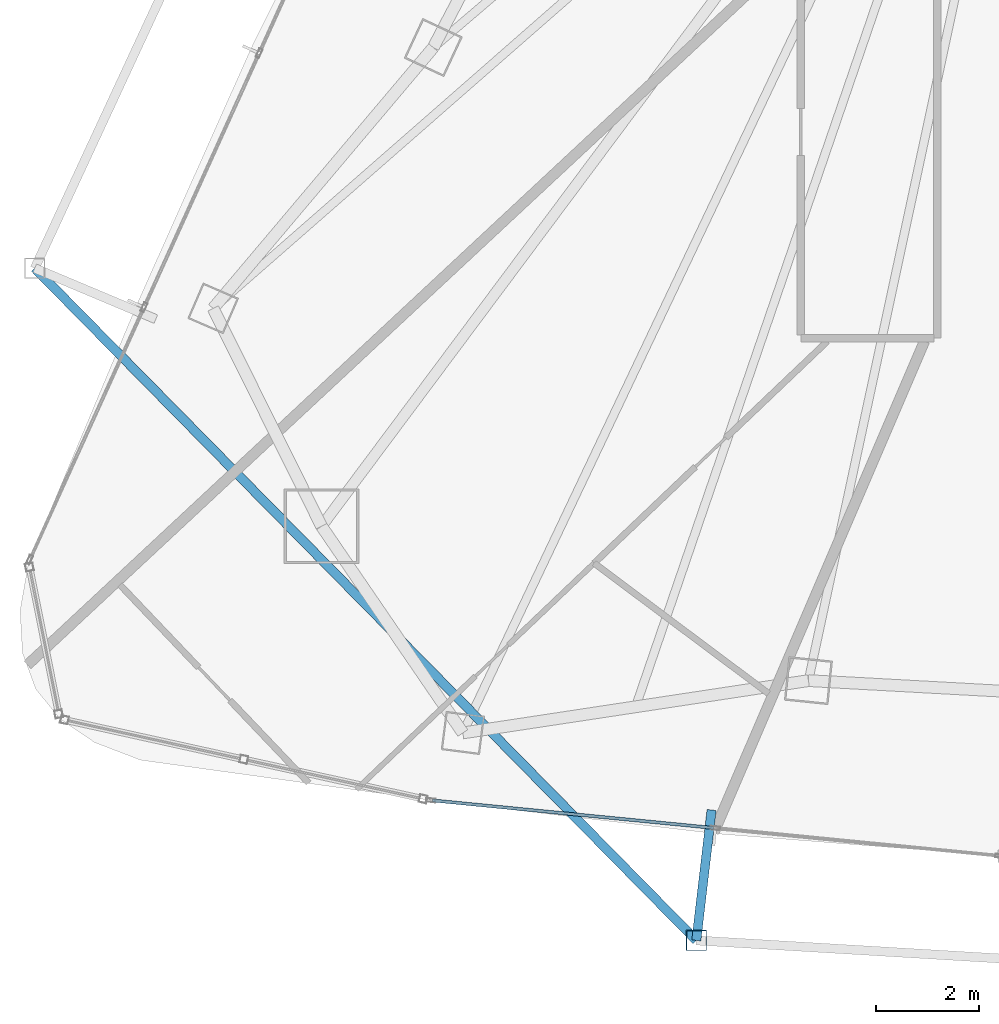
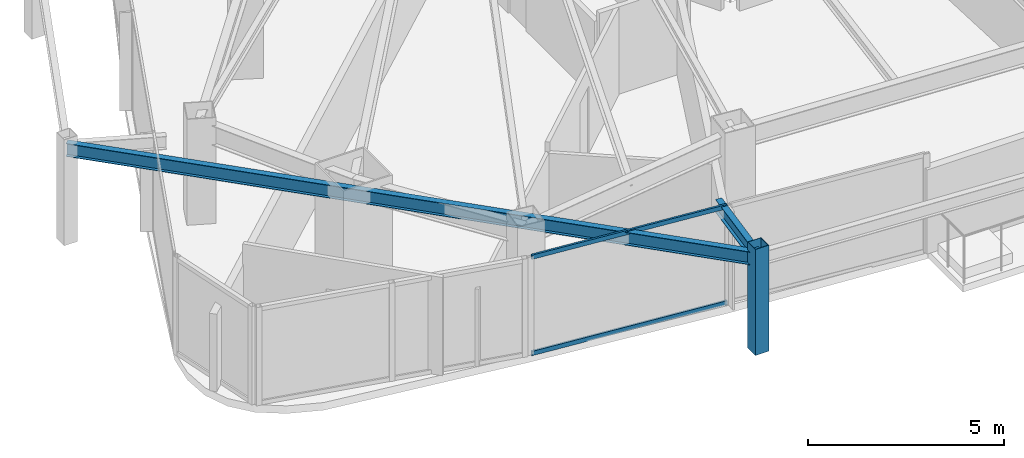
# One storey, part 3 of 29: 3 members, 2 beams, 1 element without a shape of its own.
"""IFC4 building model written with IfcOpenShell, lengths in metres."""

from ifc_helpers import new_model, si_unit, direction, frame, origin, origin_2d, place, context, subcontext, project, spatial, hollow_rectangle, i_section, extrude, material, layer, layer_set, material_profile, profile_set, type_object, element, aggregate, save


model = new_model("IFC4")

# Units and contexts
model_context = context("Model", 3, precision=1e-05, world=origin(), true_north=direction((0.0, 1.0)))
body_context = subcontext(model_context, "Body", "Model", "MODEL_VIEW")
ifc_project = project(units=[si_unit("LENGTHUNIT", "METRE"), si_unit("AREAUNIT", "SQUARE_METRE"), si_unit("VOLUMEUNIT", "CUBIC_METRE"), si_unit("PLANEANGLEUNIT", "RADIAN"), si_unit("MASSUNIT", "GRAM", prefix="KILO")], contexts=[model_context])

# Site, building, storey
site_placement = place(None, origin())
site = spatial("IfcSite", under=ifc_project, at=site_placement, CompositionType="ELEMENT")
building_placement = place(site_placement, origin())
building = spatial("IfcBuilding", under=site, at=building_placement, Name="Orvanel Arch Residences", CompositionType="ELEMENT")
storey_placement = place(building_placement, frame((0.0, 0.0, 170.449951171875)))
storey = spatial("IfcBuildingStorey", under=building, at=storey_placement, Name="L48", CompositionType="ELEMENT", Elevation=170.449951171875)

# Beams
ifc_material_1 = material(Name="Structural steel AS/NZS 3679.1 Grade 300 (300 MPa)", Category="steel")
ifc_material_profile_1 = material_profile(ifc_material_1, i_section(OverallWidth=0.177978515625, OverallDepth=0.406005859375, WebThickness=0.0078125, FlangeThickness=0.0126953125, at=origin_2d()), Name="410UB59.7")
ifc_profile_set_1 = profile_set([ifc_material_profile_1], Name="Structural steel AS/NZS 3679.1 Grade 300 (300 MPa)")
beam_type = type_object("IfcBeamType", Name="OB-410UB-EXT", PredefinedType="SPANDREL", material=ifc_profile_set_1)
beam_1_placement = place(storey_placement, frame((8.632080078125, 15.35888671875, 2.85693359375), z_axis=(0.701456301803, -0.712712464224, 0.0), x_axis=(0.712712464224, 0.701456301803, 0.0)))
element("IfcBeam", 1, at=beam_1_placement, inside=storey, type_object=beam_type, Name="L48 Outer Perimeter Floor Ring Beam 04", PredefinedType="SPANDREL", context=body_context, shape_type="SweptSolid", body=[
    extrude(i_section(OverallWidth=0.177978515625, OverallDepth=0.406005859375, WebThickness=0.0078125, FlangeThickness=0.0126953125, at=origin_2d()), origin(), (0.0, 0.0, 1.0), 18.305908203125),
])
beam_2_placement = place(storey_placement, frame((21.77001953125, 4.843994140625, 2.85693359375), z_axis=(-0.11654675499, -0.993185206244, 0.0), x_axis=(0.993185206244, -0.11654675499, 0.0)))
element("IfcBeam", 2, at=beam_2_placement, inside=storey, type_object=beam_type, Name="L48 Outer Frame Radial Tie Beam 05", PredefinedType="SPANDREL", context=body_context, shape_type="SweptSolid", body=[
    extrude(i_section(OverallWidth=0.177978515625, OverallDepth=0.406005859375, WebThickness=0.0078125, FlangeThickness=0.0126953125, at=origin_2d()), origin(), (0.0, 0.0, 1.0), 2.54931640625),
])

# Member
ifc_material_2 = material(Name="Structural steel AS/NZS 1163 C450L0 (Grade 450)", Category="steel")
ifc_material_profile_2 = material_profile(ifc_material_2, hollow_rectangle(XDim=0.39990234375, YDim=0.39990234375, WallThickness=0.01611328125, at=origin_2d()), Name="SHS400x400x16")
ifc_profile_set_2 = profile_set([ifc_material_profile_2], Name="Structural steel AS/NZS 1163 C450L0 (Grade 450)")
member_type_1 = type_object("IfcMemberType", Name="ST-400SHS-EXT", PredefinedType="STRUT", material=ifc_profile_set_2)
member_1_placement = place(storey_placement, frame((21.472900390625, 2.31201171875, 0.0), z_axis=(0.0, 0.0, 1.0), x_axis=(1.0, 0.0, 0.0)))
element("IfcMember", 3, at=member_1_placement, inside=storey, type_object=member_type_1, Name="L48 Outer Perimeter Frame Post 05", PredefinedType="STRUT", context=body_context, shape_type="SweptSolid", body=[
    extrude(hollow_rectangle(XDim=0.39990234375, YDim=0.39990234375, WallThickness=0.01611328125, at=origin_2d()), origin(), (0.0, 0.0, 1.0), 3.300048828125),
])

# Curtain wall, members
ifc_material_3 = material(Name="Bronze-anodised aluminium AA6063-T6", Category="aluminium")
ifc_layer = layer(ifc_material_3, 0.179931640625)
ifc_layer_set = layer_set([ifc_layer], Name="Bronze-anodised aluminium AA6063-T6")
curtain_wall_type = type_object("IfcCurtainWallType", Name="CW3-MID-SYS", PredefinedType="NOTDEFINED", material=ifc_layer_set)
curtain_wall_placement = place(storey_placement, origin())
curtain_wall = element("IfcCurtainWall", 4, at=curtain_wall_placement, inside=storey, type_object=curtain_wall_type, Name="L48 CW3-MID-SYS Unitised Curtain Wall", PredefinedType="NOTDEFINED")
ifc_material_profile_3 = material_profile(ifc_material_3, hollow_rectangle(XDim=0.06005859375, YDim=0.135009765625, WallThickness=0.00390625, at=origin_2d()), Name="ALU135x60x4")
ifc_profile_set_3 = profile_set([ifc_material_profile_3], Name="Bronze-anodised aluminium AA6063-T6")
member_type_2 = type_object("IfcMemberType", Name="TRN-135x60", PredefinedType="USERDEFINED", material=ifc_profile_set_3)
member_2_placement = place(storey_placement, frame((16.354736328125, 5.029296875, 0.030029296875), z_axis=(0.995233274278, -0.097522970473, 0.0), x_axis=(0.097522970473, 0.995233274278, 0.0)))
member_2 = element("IfcMember", 5, at=member_2_placement, type_object=member_type_2, Name="CW-S3 transom 1.1", ObjectType="TRANSOM", PredefinedType="USERDEFINED", context=body_context, shape_type="SweptSolid", body=[
    extrude(hollow_rectangle(XDim=0.06005859375, YDim=0.135009765625, WallThickness=0.00390625, at=origin_2d()), origin(), (0.0, 0.0, 1.0), 5.47998046875),
])
member_3_placement = place(storey_placement, frame((16.354736328125, 5.029296875, 3.030029296875), z_axis=(0.995233274278, -0.097522970473, 0.0), x_axis=(0.097522970473, 0.995233274278, 0.0)))
member_3 = element("IfcMember", 6, at=member_3_placement, type_object=member_type_2, Name="CW-S3 transom 1.2", ObjectType="TRANSOM", PredefinedType="USERDEFINED", context=body_context, shape_type="SweptSolid", body=[
    extrude(hollow_rectangle(XDim=0.06005859375, YDim=0.135009765625, WallThickness=0.00390625, at=origin_2d()), origin(), (0.0, 0.0, 1.0), 5.47998046875),
])
aggregate(curtain_wall, [member_2, member_3])

save(model, "model.ifc")
